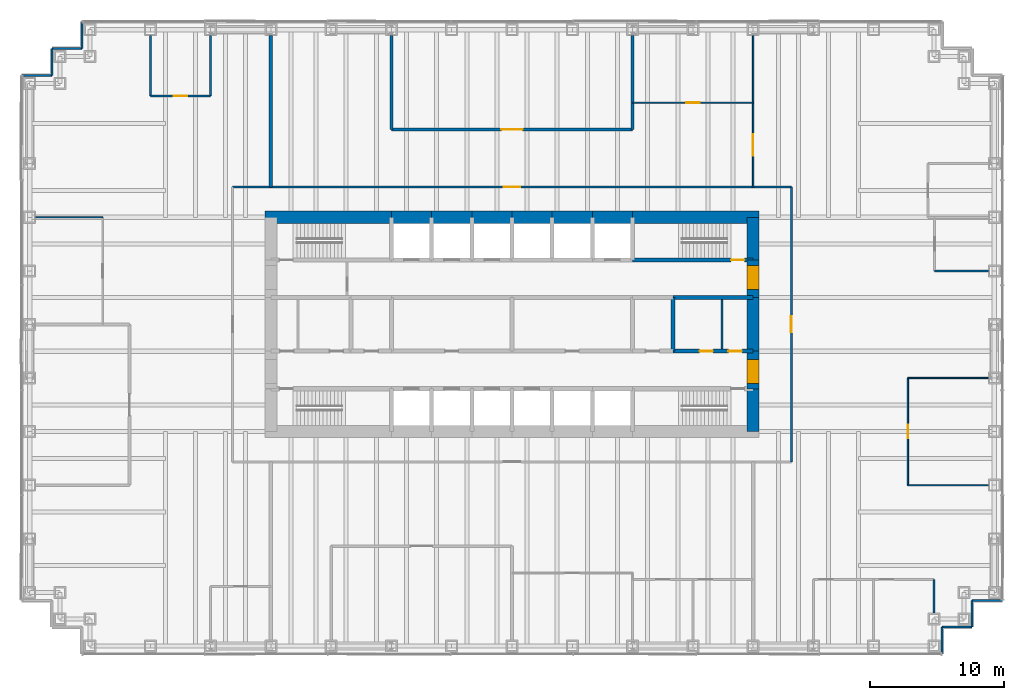
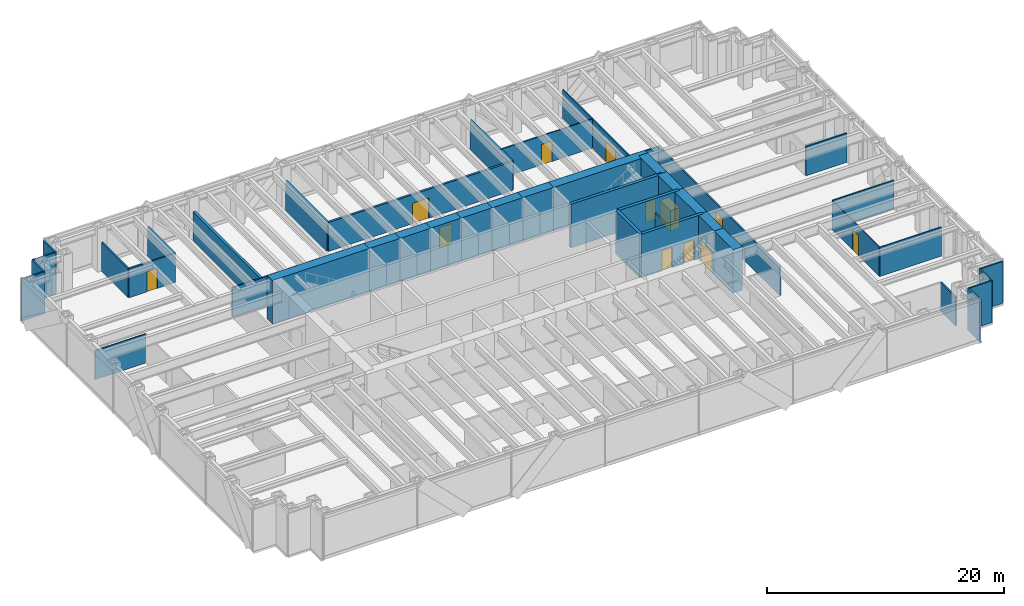
# One storey, part 11 of 13: 43 walls, 12 doors, 12 openings.
"""IFC4 building model written with IfcOpenShell, lengths in metres."""

from ifc_helpers import new_model, si_unit, direction, frame, frame_2d, origin, place, context, subcontext, project, spatial, rectangle, extrude, material, layer, layer_set, type_object, element, fill, save


model = new_model("IFC4")

# Units and contexts
model_context = context("Model", 3, precision=1e-05, world=origin(), true_north=direction((0.0, 1.0)))
body_context = subcontext(model_context, "Body", "Model", "MODEL_VIEW")
ifc_project = project(units=[si_unit("LENGTHUNIT", "METRE"), si_unit("AREAUNIT", "SQUARE_METRE"), si_unit("VOLUMEUNIT", "CUBIC_METRE"), si_unit("PLANEANGLEUNIT", "RADIAN"), si_unit("MASSUNIT", "GRAM", prefix="KILO")], contexts=[model_context])

# Site, building, storey
site_placement = place(None, origin())
site = spatial("IfcSite", under=ifc_project, at=site_placement, CompositionType="ELEMENT")
building_placement = place(site_placement, origin())
building = spatial("IfcBuilding", under=site, at=building_placement, Name="Rheinbord Bourse Tower", CompositionType="ELEMENT")
storey_placement = place(building_placement, frame((0.0, 0.0, 81.5)))
storey = spatial("IfcBuildingStorey", under=building, at=storey_placement, Name="L17", CompositionType="ELEMENT", Elevation=81.5)

# Wall, opening, door
ifc_material_1 = material(Name="Acoustic gypsum board partition", Category="gypsum board")
ifc_layer_1 = layer(ifc_material_1, 0.199951171875)
ifc_layer_set_1 = layer_set([ifc_layer_1], Name="ACOUSTIC PARTITION 200")
wall_type_1 = type_object("IfcWallType", Name="ACOUSTIC PARTITION 200", PredefinedType="PARTITIONING", material=ifc_layer_set_1)
wall_1_placement = place(storey_placement, frame((27.0, 38.550048828125, 0.0), z_axis=(0.0, 0.0, 1.0), x_axis=(1.0, 0.0, 0.0)))
wall_1 = element("IfcWall", 1, at=wall_1_placement, inside=storey, type_object=wall_type_1, Name="Partition L17-18", PredefinedType="PARTITIONING", context=body_context, shape_type="SweptSolid", body=[
    extrude(rectangle(XDim=18.0, YDim=0.199951171875, at=frame_2d((9.0, 0.0))), origin(), (0.0, 0.0, 1.0), 3.0),
])
opening_1_placement = place(wall_1_placement, frame((8.199951171875, 0.0, 0.0)))
opening_1 = element("IfcOpeningElement", 2, at=opening_1_placement, cuts=wall_1, Name="Opening 17D13", PredefinedType="OPENING", context=body_context, shape_type="SweptSolid", body=[
    extrude(rectangle(XDim=1.60009765625, YDim=2.10009765625, at=frame_2d((0.800048828125, 1.050048828125))), frame((0.0, 0.10986328125, 0.0), z_axis=(0.0, -1.0, 0.0), x_axis=(1.0, 0.0, 0.0)), (0.0, 0.0, 1.0), 0.219970703125),
])
ifc_material_2 = material(Name="Timber door", Category="wood")
door_type_1 = type_object("IfcDoorType", Name="DOUBLE ROOM DOOR 1600", OperationType="DOUBLE_DOOR_DOUBLE_SWING", PredefinedType="DOOR", material=ifc_material_2)
door_1_placement = place(opening_1_placement, origin())
door_1 = element("IfcDoor", 3, at=door_1_placement, inside=storey, type_object=door_type_1, Name="Trading room door L17", OperationType="SINGLE_SWING_LEFT", OverallHeight=2.10009765625, OverallWidth=1.60009765625, PredefinedType="DOOR", context=body_context, shape_type="SweptSolid", body=[
    extrude(rectangle(XDim=1.60009765625, YDim=2.10009765625, at=frame_2d((0.800048828125, 1.050048828125))), frame((0.0, 0.02490234375, 0.0), z_axis=(0.0, -1.0, 0.0), x_axis=(1.0, 0.0, 0.0)), (0.0, 0.0, 1.0), 0.050048828125),
])
fill(opening_1, door_1)

# Walls
for number, where, z_axis, x_axis, name in (
    (4, (27.0, 38.550048828125, 0.0), (0.0, 0.0, 1.0), (0.0, 1.0, 0.0), "Partition L17-30"),
    (5, (45.0, 38.550048828125, 0.0), (0.0, 0.0, 1.0), (0.0, 1.0, 0.0), "Partition L17-34"),
):
    element("IfcWall", number, at=place(storey_placement, frame(where, z_axis=z_axis, x_axis=x_axis)), inside=storey, type_object=wall_type_1, Name=name, PredefinedType="PARTITIONING", context=body_context, shape_type="SweptSolid", body=[
        extrude(rectangle(XDim=7.0, YDim=0.199951171875, at=frame_2d((3.5, 0.0))), origin(), (0.0, 0.0, 1.0), 3.0),
    ])

# Wall, opening, door
ifc_material_3 = material(Name="Concrete C50/60", Category="concrete")
ifc_layer_2 = layer(ifc_material_3, 0.300048828125)
ifc_layer_set_2 = layer_set([ifc_layer_2], Name="CORE INNER WALL 300")
wall_type_2 = type_object("IfcWallType", Name="CORE INNER WALL 300", PredefinedType="SOLIDWALL", material=ifc_layer_set_2)
wall_2_placement = place(storey_placement, frame((45.0, 28.800048828125, 0.0), z_axis=(0.0, 0.0, 1.0), x_axis=(1.0, 0.0, 0.0)))
wall_2 = element("IfcWall", 6, at=wall_2_placement, inside=storey, type_object=wall_type_2, Name="Core wall B8 L17", PredefinedType="SOLIDWALL", context=body_context, shape_type="SweptSolid", body=[
    extrude(rectangle(XDim=9.0, YDim=0.300048828125, at=frame_2d((4.5, 0.0))), origin(), (0.0, 0.0, 1.0), 4.5),
])
opening_2_placement = place(wall_2_placement, frame((7.35009765625, 0.0, 0.0)))
opening_2 = element("IfcOpeningElement", 7, at=opening_2_placement, cuts=wall_2, Name="Opening 1740", PredefinedType="OPENING", context=body_context, shape_type="SweptSolid", body=[
    extrude(rectangle(XDim=1.0, YDim=2.10009765625, at=frame_2d((0.5, 1.050048828125))), frame((0.0, 0.159912109375, 0.0), z_axis=(0.0, -1.0, 0.0), x_axis=(1.0, 0.0, 0.0)), (0.0, 0.0, 1.0), 0.320068359375),
])
ifc_material_4 = material(Name="Steel door", Category="steel")
door_type_2 = type_object("IfcDoorType", Name="DOOR 1000 EI30", OperationType="SINGLE_SWING_LEFT", PredefinedType="DOOR", material=ifc_material_4)
door_2_placement = place(opening_2_placement, origin())
door_2 = element("IfcDoor", 8, at=door_2_placement, inside=storey, type_object=door_type_2, Name="Stair door ST4 L17", OperationType="SINGLE_SWING_RIGHT", OverallHeight=2.10009765625, OverallWidth=1.0, PredefinedType="DOOR", context=body_context, shape_type="SweptSolid", body=[
    extrude(rectangle(XDim=1.0, YDim=2.10009765625, at=frame_2d((0.5, 1.050048828125))), frame((0.0, 0.02490234375, 0.0), z_axis=(0.0, -1.0, 0.0), x_axis=(1.0, 0.0, 0.0)), (0.0, 0.0, 1.0), 0.050048828125),
])
fill(opening_2, door_2)

# Wall, openings, doors
wall_3_placement = place(storey_placement, frame((48.0, 22.0, 0.0), z_axis=(0.0, 0.0, 1.0), x_axis=(1.0, 0.0, 0.0)))
wall_3 = element("IfcWall", 9, at=wall_3_placement, inside=storey, type_object=wall_type_2, Name="Core wall C6 L17", PredefinedType="SOLIDWALL", context=body_context, shape_type="SweptSolid", body=[
    extrude(rectangle(XDim=6.0, YDim=0.300048828125, at=frame_2d((3.0, 0.0))), origin(), (0.0, 0.0, 1.0), 4.5),
])
opening_3_placement = place(wall_3_placement, frame((2.0, 0.0, 0.0)))
opening_3 = element("IfcOpeningElement", 10, at=opening_3_placement, cuts=wall_3, Name="Opening 17R6", PredefinedType="OPENING", context=body_context, shape_type="SweptSolid", body=[
    extrude(rectangle(XDim=1.0, YDim=2.10009765625, at=frame_2d((0.5, 1.050048828125))), frame((0.0, 0.159912109375, 0.0), z_axis=(0.0, -1.0, 0.0), x_axis=(1.0, 0.0, 0.0)), (0.0, 0.0, 1.0), 0.320068359375),
])
opening_4_placement = place(wall_3_placement, frame((4.14990234375, 0.0, 0.0)))
opening_4 = element("IfcOpeningElement", 11, at=opening_4_placement, cuts=wall_3, Name="Opening 17R10", PredefinedType="OPENING", context=body_context, shape_type="SweptSolid", body=[
    extrude(rectangle(XDim=1.0, YDim=2.10009765625, at=frame_2d((0.5, 1.050048828125))), frame((0.0, 0.159912109375, 0.0), z_axis=(0.0, -1.0, 0.0), x_axis=(1.0, 0.0, 0.0)), (0.0, 0.0, 1.0), 0.320068359375),
])
door_3_placement = place(opening_4_placement, origin())
door_3 = element("IfcDoor", 12, at=door_3_placement, inside=storey, type_object=door_type_2, Name="Cleaner's store door L17", OperationType="SINGLE_SWING_RIGHT", OverallHeight=2.10009765625, OverallWidth=1.0, PredefinedType="DOOR", context=body_context, shape_type="SweptSolid", body=[
    extrude(rectangle(XDim=1.0, YDim=2.10009765625, at=frame_2d((0.5, 1.050048828125))), frame((0.0, 0.02490234375, 0.0), z_axis=(0.0, -1.0, 0.0), x_axis=(1.0, 0.0, 0.0)), (0.0, 0.0, 1.0), 0.050048828125),
])
fill(opening_4, door_3)
ifc_material_5 = material(Name="Timber door", Category="wood")
door_type_3 = type_object("IfcDoorType", Name="DOOR 1000 WC", OperationType="SINGLE_SWING_LEFT", PredefinedType="DOOR", material=ifc_material_5)
door_4_placement = place(opening_3_placement, origin())
door_4 = element("IfcDoor", 13, at=door_4_placement, inside=storey, type_object=door_type_3, Name="WC women door L17", OperationType="SINGLE_SWING_LEFT", OverallHeight=2.10009765625, OverallWidth=1.0, PredefinedType="DOOR", context=body_context, shape_type="SweptSolid", body=[
    extrude(rectangle(XDim=1.0, YDim=2.10009765625, at=frame_2d((0.5, 1.050048828125))), frame((0.0, 0.02490234375, 0.0), z_axis=(0.0, -1.0, 0.0), x_axis=(1.0, 0.0, 0.0)), (0.0, 0.0, 1.0), 0.050048828125),
])
fill(opening_3, door_4)

# Walls
wall_4_placement = place(storey_placement, frame((48.0, 26.0, 0.0), z_axis=(0.0, 0.0, 1.0), x_axis=(1.0, 0.0, 0.0)))
element("IfcWall", 14, at=wall_4_placement, inside=storey, type_object=wall_type_2, Name="Core wall D6 L17", PredefinedType="SOLIDWALL", context=body_context, shape_type="SweptSolid", body=[
    extrude(rectangle(XDim=6.0, YDim=0.300048828125, at=frame_2d((3.0, 0.0))), origin(), (0.0, 0.0, 1.0), 4.5),
])
wall_5_placement = place(storey_placement, frame((48.0, 22.0, 0.0), z_axis=(0.0, 0.0, 1.0), x_axis=(0.0, 1.0, 0.0)))
element("IfcWall", 15, at=wall_5_placement, inside=storey, type_object=wall_type_2, Name="Core wall MX48 L17", PredefinedType="SOLIDWALL", context=body_context, shape_type="SweptSolid", body=[
    extrude(rectangle(XDim=4.0, YDim=0.300048828125, at=frame_2d((2.0, 0.0))), origin(), (0.0, 0.0, 1.0), 4.5),
])
ifc_material_6 = material(Name="Gypsum board fire partition", Category="gypsum board")
ifc_layer_3 = layer(ifc_material_6, 0.14990234375)
ifc_layer_set_3 = layer_set([ifc_layer_3], Name="CORE PARTITION 150 EI30")
wall_type_3 = type_object("IfcWallType", Name="CORE PARTITION 150 EI30", PredefinedType="PARTITIONING", material=ifc_layer_set_3)
wall_6_placement = place(storey_placement, frame((51.675048828125, 22.14990234375, 0.0), z_axis=(0.0, 0.0, 1.0), x_axis=(0.0, 1.0, 0.0)))
element("IfcWall", 16, at=wall_6_placement, inside=storey, type_object=wall_type_3, Name="Core partition L17-3", PredefinedType="PARTITIONING", context=body_context, shape_type="SweptSolid", body=[
    extrude(rectangle(XDim=3.7001953125, YDim=0.14990234375, at=frame_2d((1.85009765625, 0.0))), origin(), (0.0, 0.0, 1.0), 3.0),
])
ifc_material_7 = material(Name="Concrete C50/60", Category="concrete")
ifc_layer_4 = layer(ifc_material_7, 0.89990234375)
ifc_layer_set_4 = layer_set([ifc_layer_4], Name="CORE WALL 900")
wall_type_4 = type_object("IfcWallType", Name="CORE WALL 900", PredefinedType="SHEAR", material=ifc_layer_set_4)
wall_7_placement = place(storey_placement, frame((54.449951171875, 32.0, 0.0), z_axis=(0.0, 0.0, 1.0), x_axis=(-1.0, 0.0, 0.0)))
element("IfcWall", 17, at=wall_7_placement, inside=storey, type_object=wall_type_4, Name="Core wall N1 L17", PredefinedType="SHEAR", context=body_context, shape_type="SweptSolid", body=[
    extrude(rectangle(XDim=9.449951171875, YDim=0.89990234375, at=frame_2d((4.72509765625, 0.0))), origin(), (0.0, 0.0, 1.0), 4.5),
])
for number, where, z_axis, x_axis, name in (
    (18, (45.0, 32.0, 0.0), (0.0, 0.0, 1.0), (-1.0, 0.0, 0.0), "Core wall N2 L17"),
    (19, (42.0, 32.0, 0.0), (0.0, 0.0, 1.0), (-1.0, 0.0, 0.0), "Core wall N3 L17"),
    (20, (39.0, 32.0, 0.0), (0.0, 0.0, 1.0), (-1.0, 0.0, 0.0), "Core wall N4 L17"),
    (21, (36.0, 32.0, 0.0), (0.0, 0.0, 1.0), (-1.0, 0.0, 0.0), "Core wall N5 L17"),
    (22, (33.0, 32.0, 0.0), (0.0, 0.0, 1.0), (-1.0, 0.0, 0.0), "Core wall N6 L17"),
    (23, (30.0, 32.0, 0.0), (0.0, 0.0, 1.0), (-1.0, 0.0, 0.0), "Core wall N7 L17"),
):
    element("IfcWall", number, at=place(storey_placement, frame(where, z_axis=z_axis, x_axis=x_axis)), inside=storey, type_object=wall_type_4, Name=name, PredefinedType="SHEAR", context=body_context, shape_type="SweptSolid", body=[
        extrude(rectangle(XDim=3.0, YDim=0.89990234375, at=frame_2d((1.5, 0.0))), origin(), (0.0, 0.0, 1.0), 4.5),
    ])
wall_8_placement = place(storey_placement, frame((27.0, 32.0, 0.0), z_axis=(0.0, 0.0, 1.0), x_axis=(-1.0, 0.0, 0.0)))
element("IfcWall", 24, at=wall_8_placement, inside=storey, type_object=wall_type_4, Name="Core wall N8 L17", PredefinedType="SHEAR", context=body_context, shape_type="SweptSolid", body=[
    extrude(rectangle(XDim=9.449951171875, YDim=0.89990234375, at=frame_2d((4.72509765625, 0.0))), origin(), (0.0, 0.0, 1.0), 4.5),
])
wall_9_placement = place(storey_placement, frame((54.0, 16.0, 0.0), z_axis=(0.0, 0.0, 1.0), x_axis=(0.0, 1.0, 0.0)))
element("IfcWall", 25, at=wall_9_placement, inside=storey, type_object=wall_type_4, Name="Core wall E1 L17", PredefinedType="SHEAR", context=body_context, shape_type="SweptSolid", body=[
    extrude(rectangle(XDim=3.199951171875, YDim=0.89990234375, at=frame_2d((1.60009765625, 0.0))), origin(), (0.0, 0.0, 1.0), 4.5),
])

# Wall, opening, door
wall_10_placement = place(storey_placement, frame((54.0, 19.199951171875, 0.0), z_axis=(0.0, 0.0, 1.0), x_axis=(0.0, 1.0, 0.0)))
wall_10 = element("IfcWall", 26, at=wall_10_placement, inside=storey, type_object=wall_type_4, Name="Core wall E2 L17", PredefinedType="SHEAR", context=body_context, shape_type="SweptSolid", body=[
    extrude(rectangle(XDim=2.800048828125, YDim=0.89990234375, at=frame_2d((1.39990234375, 0.0))), origin(), (0.0, 0.0, 1.0), 4.5),
])
opening_5_placement = place(wall_10_placement, frame((0.39990234375, 0.0, 0.0)))
opening_5 = element("IfcOpeningElement", 27, at=opening_5_placement, cuts=wall_10, Name="Opening 17L3", PredefinedType="OPENING", context=body_context, shape_type="SweptSolid", body=[
    extrude(rectangle(XDim=1.800048828125, YDim=2.10009765625, at=frame_2d((0.89990234375, 1.050048828125))), frame((0.0, 0.4599609375, 0.0), z_axis=(0.0, -1.0, 0.0), x_axis=(1.0, 0.0, 0.0)), (0.0, 0.0, 1.0), 0.919921875),
])
ifc_material_8 = material(Name="Steel door", Category="steel")
door_type_4 = type_object("IfcDoorType", Name="DOOR 1800 EI30 DOUBLE", OperationType="DOUBLE_DOOR_DOUBLE_SWING", PredefinedType="DOOR", material=ifc_material_8)
door_5_placement = place(opening_5_placement, origin())
door_5 = element("IfcDoor", 28, at=door_5_placement, inside=storey, type_object=door_type_4, Name="Lobby door 3 L17", OperationType="SINGLE_SWING_LEFT", OverallHeight=2.10009765625, OverallWidth=1.800048828125, PredefinedType="DOOR", context=body_context, shape_type="SweptSolid", body=[
    extrude(rectangle(XDim=1.800048828125, YDim=2.10009765625, at=frame_2d((0.89990234375, 1.050048828125))), frame((0.0, 0.44970703125, 0.0), z_axis=(0.0, -1.0, 0.0), x_axis=(1.0, 0.0, 0.0)), (0.0, 0.0, 1.0), 0.8994140625),
])
fill(opening_5, door_5)

# Wall
wall_11_placement = place(storey_placement, frame((54.0, 22.0, 0.0), z_axis=(0.0, 0.0, 1.0), x_axis=(0.0, 1.0, 0.0)))
element("IfcWall", 29, at=wall_11_placement, inside=storey, type_object=wall_type_4, Name="Core wall E3 L17", PredefinedType="SHEAR", context=body_context, shape_type="SweptSolid", body=[
    extrude(rectangle(XDim=4.0, YDim=0.89990234375, at=frame_2d((2.0, 0.0))), origin(), (0.0, 0.0, 1.0), 4.5),
])

# Wall, opening, door
wall_12_placement = place(storey_placement, frame((54.0, 26.0, 0.0), z_axis=(0.0, 0.0, 1.0), x_axis=(0.0, 1.0, 0.0)))
wall_12 = element("IfcWall", 30, at=wall_12_placement, inside=storey, type_object=wall_type_4, Name="Core wall E4 L17", PredefinedType="SHEAR", context=body_context, shape_type="SweptSolid", body=[
    extrude(rectangle(XDim=2.800048828125, YDim=0.89990234375, at=frame_2d((1.39990234375, 0.0))), origin(), (0.0, 0.0, 1.0), 4.5),
])
opening_6_placement = place(wall_12_placement, frame((0.60009765625, 0.0, 0.0)))
opening_6 = element("IfcOpeningElement", 31, at=opening_6_placement, cuts=wall_12, Name="Opening 17L4", PredefinedType="OPENING", context=body_context, shape_type="SweptSolid", body=[
    extrude(rectangle(XDim=1.800048828125, YDim=2.10009765625, at=frame_2d((0.89990234375, 1.050048828125))), frame((0.0, 0.4599609375, 0.0), z_axis=(0.0, -1.0, 0.0), x_axis=(1.0, 0.0, 0.0)), (0.0, 0.0, 1.0), 0.919921875),
])
door_6_placement = place(opening_6_placement, origin())
door_6 = element("IfcDoor", 32, at=door_6_placement, inside=storey, type_object=door_type_4, Name="Lobby door 4 L17", OperationType="SINGLE_SWING_LEFT", OverallHeight=2.10009765625, OverallWidth=1.800048828125, PredefinedType="DOOR", context=body_context, shape_type="SweptSolid", body=[
    extrude(rectangle(XDim=1.800048828125, YDim=2.10009765625, at=frame_2d((0.89990234375, 1.050048828125))), frame((0.0, 0.44970703125, 0.0), z_axis=(0.0, -1.0, 0.0), x_axis=(1.0, 0.0, 0.0)), (0.0, 0.0, 1.0), 0.8994140625),
])
fill(opening_6, door_6)

# Walls
wall_13_placement = place(storey_placement, frame((54.0, 28.800048828125, 0.0), z_axis=(0.0, 0.0, 1.0), x_axis=(0.0, 1.0, 0.0)))
element("IfcWall", 33, at=wall_13_placement, inside=storey, type_object=wall_type_4, Name="Core wall E5 L17", PredefinedType="SHEAR", context=body_context, shape_type="SweptSolid", body=[
    extrude(rectangle(XDim=3.199951171875, YDim=0.89990234375, at=frame_2d((1.60009765625, 0.0))), origin(), (0.0, 0.0, 1.0), 4.5),
])
ifc_material_9 = material(Name="Black metal rainscreen panel", Category="aluminium")
ifc_layer_5 = layer(ifc_material_9, 0.14990234375)
ifc_layer_set_5 = layer_set([ifc_layer_5], Name="CORNER PIER CLADDING 150")
wall_type_5 = type_object("IfcWallType", Name="CORNER PIER CLADDING 150", PredefinedType="ELEMENTEDWALL", material=ifc_layer_set_5)
wall_14_placement = place(storey_placement, frame((68.10009765625, -0.60009765625, 0.0), z_axis=(0.0, 0.0, 1.0), x_axis=(0.0, 1.0, 0.0)))
element("IfcWall", 34, at=wall_14_placement, inside=storey, type_object=wall_type_5, Name="Corner pier cladding L17 2", PredefinedType="ELEMENTEDWALL", context=body_context, shape_type="SweptSolid", body=[
    extrude(rectangle(XDim=2.0, YDim=0.14990234375, at=frame_2d((1.0, 0.0))), origin(), (0.0, 0.0, 1.0), 4.320068359375),
])
wall_15_placement = place(storey_placement, frame((68.10009765625, 1.39990234375, 0.0), z_axis=(0.0, 0.0, 1.0), x_axis=(1.0, 0.0, 0.0)))
element("IfcWall", 35, at=wall_15_placement, inside=storey, type_object=wall_type_5, Name="Corner pier cladding L17 3", PredefinedType="ELEMENTEDWALL", context=body_context, shape_type="SweptSolid", body=[
    extrude(rectangle(XDim=2.25, YDim=0.14990234375, at=frame_2d((1.125, 0.0))), origin(), (0.0, 0.0, 1.0), 4.320068359375),
])
wall_16_placement = place(storey_placement, frame((70.35009765625, 1.39990234375, 0.0), z_axis=(0.0, 0.0, 1.0), x_axis=(0.0, 1.0, 0.0)))
element("IfcWall", 36, at=wall_16_placement, inside=storey, type_object=wall_type_5, Name="Corner pier cladding L17 4", PredefinedType="ELEMENTEDWALL", context=body_context, shape_type="SweptSolid", body=[
    extrude(rectangle(XDim=2.0, YDim=0.14990234375, at=frame_2d((1.0, 0.0))), origin(), (0.0, 0.0, 1.0), 4.320068359375),
])
wall_17_placement = place(storey_placement, frame((70.35009765625, 3.39990234375, 0.0), z_axis=(0.0, 0.0, 1.0), x_axis=(1.0, 0.0, 0.0)))
element("IfcWall", 37, at=wall_17_placement, inside=storey, type_object=wall_type_5, Name="Corner pier cladding L17 5", PredefinedType="ELEMENTEDWALL", context=body_context, shape_type="SweptSolid", body=[
    extrude(rectangle(XDim=2.25, YDim=0.14990234375, at=frame_2d((1.125, 0.0))), origin(), (0.0, 0.0, 1.0), 4.320068359375),
])
wall_18_placement = place(storey_placement, frame((3.89990234375, 46.60009765625, 0.0), z_axis=(0.0, 0.0, 1.0), x_axis=(0.0, -1.0, 0.0)))
element("IfcWall", 38, at=wall_18_placement, inside=storey, type_object=wall_type_5, Name="Corner pier cladding L17 12", PredefinedType="ELEMENTEDWALL", context=body_context, shape_type="SweptSolid", body=[
    extrude(rectangle(XDim=2.0, YDim=0.14990234375, at=frame_2d((1.0, 0.0))), origin(), (0.0, 0.0, 1.0), 4.320068359375),
])
wall_19_placement = place(storey_placement, frame((3.89990234375, 44.60009765625, 0.0), z_axis=(0.0, 0.0, 1.0), x_axis=(-1.0, 0.0, 0.0)))
element("IfcWall", 39, at=wall_19_placement, inside=storey, type_object=wall_type_5, Name="Corner pier cladding L17 13", PredefinedType="ELEMENTEDWALL", context=body_context, shape_type="SweptSolid", body=[
    extrude(rectangle(XDim=2.25, YDim=0.14990234375, at=frame_2d((1.125, 0.0))), origin(), (0.0, 0.0, 1.0), 4.320068359375),
])
wall_20_placement = place(storey_placement, frame((1.64990234375, 44.60009765625, 0.0), z_axis=(0.0, 0.0, 1.0), x_axis=(0.0, -1.0, 0.0)))
element("IfcWall", 40, at=wall_20_placement, inside=storey, type_object=wall_type_5, Name="Corner pier cladding L17 14", PredefinedType="ELEMENTEDWALL", context=body_context, shape_type="SweptSolid", body=[
    extrude(rectangle(XDim=2.0, YDim=0.14990234375, at=frame_2d((1.0, 0.0))), origin(), (0.0, 0.0, 1.0), 4.320068359375),
])
wall_21_placement = place(storey_placement, frame((1.64990234375, 42.60009765625, 0.0), z_axis=(0.0, 0.0, 1.0), x_axis=(-1.0, 0.0, 0.0)))
element("IfcWall", 41, at=wall_21_placement, inside=storey, type_object=wall_type_5, Name="Corner pier cladding L17 15", PredefinedType="ELEMENTEDWALL", context=body_context, shape_type="SweptSolid", body=[
    extrude(rectangle(XDim=2.25, YDim=0.14990234375, at=frame_2d((1.125, 0.0))), origin(), (0.0, 0.0, 1.0), 4.320068359375),
])

# Wall, opening, door
ifc_material_10 = material(Name="Gypsum board corridor partition", Category="gypsum board")
ifc_layer_6 = layer(ifc_material_10, 0.14990234375)
ifc_layer_set_6 = layer_set([ifc_layer_6], Name="CORRIDOR PARTITION 150 EI30")
wall_type_6 = type_object("IfcWallType", Name="CORRIDOR PARTITION 150 EI30", PredefinedType="PARTITIONING", material=ifc_layer_set_6)
wall_22_placement = place(storey_placement, frame((15.14990234375, 34.25, 0.0), z_axis=(0.0, 0.0, 1.0), x_axis=(1.0, 0.0, 0.0)))
wall_22 = element("IfcWall", 42, at=wall_22_placement, inside=storey, type_object=wall_type_6, Name="Partition L17-16", PredefinedType="PARTITIONING", context=body_context, shape_type="SweptSolid", body=[
    extrude(rectangle(XDim=41.7001953125, YDim=0.14990234375, at=frame_2d((20.85009765625, 0.0))), origin(), (0.0, 0.0, 1.0), 3.0),
])
opening_7_placement = place(wall_22_placement, frame((20.25, 0.0, 0.0)))
opening_7 = element("IfcOpeningElement", 43, at=opening_7_placement, cuts=wall_22, Name="Opening 17D19", PredefinedType="OPENING", context=body_context, shape_type="SweptSolid", body=[
    extrude(rectangle(XDim=1.199951171875, YDim=2.10009765625, at=frame_2d((0.60009765625, 1.050048828125))), frame((0.0, 0.0849609375, 0.0), z_axis=(0.0, -1.0, 0.0), x_axis=(1.0, 0.0, 0.0)), (0.0, 0.0, 1.0), 0.169921875),
])
ifc_material_11 = material(Name="Timber fire door", Category="wood")
door_type_5 = type_object("IfcDoorType", Name="SUITE ENTRANCE DOOR 1200 EI30", OperationType="SINGLE_SWING_LEFT", PredefinedType="DOOR", material=ifc_material_11)
door_7_placement = place(opening_7_placement, origin())
door_7 = element("IfcDoor", 44, at=door_7_placement, inside=storey, type_object=door_type_5, Name="Suite entrance 3 door L17", OperationType="SINGLE_SWING_LEFT", OverallHeight=2.10009765625, OverallWidth=1.199951171875, PredefinedType="DOOR", context=body_context, shape_type="SweptSolid", body=[
    extrude(rectangle(XDim=1.199951171875, YDim=2.10009765625, at=frame_2d((0.60009765625, 1.050048828125))), frame((0.0, 0.02490234375, 0.0), z_axis=(0.0, -1.0, 0.0), x_axis=(1.0, 0.0, 0.0)), (0.0, 0.0, 1.0), 0.050048828125),
])
fill(opening_7, door_7)

wall_23_placement = place(storey_placement, frame((56.85009765625, 13.75, 0.0), z_axis=(0.0, 0.0, 1.0), x_axis=(0.0, 1.0, 0.0)))
wall_23 = element("IfcWall", 45, at=wall_23_placement, inside=storey, type_object=wall_type_6, Name="Partition L17-38", PredefinedType="PARTITIONING", context=body_context, shape_type="SweptSolid", body=[
    extrude(rectangle(XDim=20.5, YDim=0.14990234375, at=frame_2d((10.25, 0.0))), origin(), (0.0, 0.0, 1.0), 3.0),
])
opening_8_placement = place(wall_23_placement, frame((9.64990234375, 0.0, 0.0)))
opening_8 = element("IfcOpeningElement", 46, at=opening_8_placement, cuts=wall_23, Name="Opening 17D20", PredefinedType="OPENING", context=body_context, shape_type="SweptSolid", body=[
    extrude(rectangle(XDim=1.199951171875, YDim=2.10009765625, at=frame_2d((0.60009765625, 1.050048828125))), frame((0.0, 0.0849609375, 0.0), z_axis=(0.0, -1.0, 0.0), x_axis=(1.0, 0.0, 0.0)), (0.0, 0.0, 1.0), 0.169921875),
])
door_8_placement = place(opening_8_placement, origin())
door_8 = element("IfcDoor", 47, at=door_8_placement, inside=storey, type_object=door_type_5, Name="Suite entrance 4 door L17", OperationType="SINGLE_SWING_LEFT", OverallHeight=2.10009765625, OverallWidth=1.199951171875, PredefinedType="DOOR", context=body_context, shape_type="SweptSolid", body=[
    extrude(rectangle(XDim=1.199951171875, YDim=2.10009765625, at=frame_2d((0.60009765625, 1.050048828125))), frame((0.0, 0.02490234375, 0.0), z_axis=(0.0, -1.0, 0.0), x_axis=(1.0, 0.0, 0.0)), (0.0, 0.0, 1.0), 0.050048828125),
])
fill(opening_8, door_8)

# Walls
ifc_material_12 = material(Name="Gypsum board tenancy wall", Category="gypsum board")
ifc_layer_7 = layer(ifc_material_12, 0.25)
ifc_layer_set_7 = layer_set([ifc_layer_7], Name="DEMISING PARTITION 250 EI60")
wall_type_7 = type_object("IfcWallType", Name="DEMISING PARTITION 250 EI60", PredefinedType="PARTITIONING", material=ifc_layer_set_7)
wall_24_placement = place(storey_placement, frame((18.0, 34.25, 0.0), z_axis=(0.0, 0.0, 1.0), x_axis=(0.0, 1.0, 0.0)))
element("IfcWall", 48, at=wall_24_placement, inside=storey, type_object=wall_type_7, Name="Partition L17-28", PredefinedType="PARTITIONING", context=body_context, shape_type="SweptSolid", body=[
    extrude(rectangle(XDim=11.300048828125, YDim=0.25, at=frame_2d((5.64990234375, 0.0))), origin(), (0.0, 0.0, 1.0), 3.0),
])
ifc_material_13 = material(Name="Gypsum board fire partition", Category="gypsum board")
ifc_layer_8 = layer(ifc_material_13, 0.14990234375)
ifc_layer_set_8 = layer_set([ifc_layer_8], Name="FIRE PARTITION 150 EI60")
wall_type_8 = type_object("IfcWallType", Name="FIRE PARTITION 150 EI60", PredefinedType="PARTITIONING", material=ifc_layer_set_8)
wall_25_placement = place(storey_placement, frame((67.550048828125, 28.0, 0.0), z_axis=(0.0, 0.0, 1.0), x_axis=(1.0, 0.0, 0.0)))
element("IfcWall", 49, at=wall_25_placement, inside=storey, type_object=wall_type_8, Name="Partition L17-12", PredefinedType="PARTITIONING", context=body_context, shape_type="SweptSolid", body=[
    extrude(rectangle(XDim=4.0, YDim=0.14990234375, at=frame_2d((2.0, 0.0))), origin(), (0.0, 0.0, 1.0), 3.0),
])
ifc_material_14 = material(Name="Toughened laminated glass partition", Category="glass")
ifc_layer_9 = layer(ifc_material_14, 0.10009765625)
ifc_layer_set_9 = layer_set([ifc_layer_9], Name="GLAZED PARTITION 100")
wall_type_9 = type_object("IfcWallType", Name="GLAZED PARTITION 100", PredefinedType="PARTITIONING", material=ifc_layer_set_9)
for number, where, z_axis, x_axis, name in (
    (50, (65.550048828125, 12.0, 0.0), (0.0, 0.0, 1.0), (1.0, 0.0, 0.0), "Partition L17-08"),
    (51, (65.550048828125, 20.0, 0.0), (0.0, 0.0, 1.0), (1.0, 0.0, 0.0), "Partition L17-10"),
):
    element("IfcWall", number, at=place(storey_placement, frame(where, z_axis=z_axis, x_axis=x_axis)), inside=storey, type_object=wall_type_9, Name=name, PredefinedType="PARTITIONING", context=body_context, shape_type="SweptSolid", body=[
        extrude(rectangle(XDim=6.0, YDim=0.10009765625, at=frame_2d((3.0, 0.0))), origin(), (0.0, 0.0, 1.0), 3.0),
    ])
wall_26_placement = place(storey_placement, frame((0.449951171875, 32.0, 0.0), z_axis=(0.0, 0.0, 1.0), x_axis=(1.0, 0.0, 0.0)))
element("IfcWall", 52, at=wall_26_placement, inside=storey, type_object=wall_type_9, Name="Partition L17-13", PredefinedType="PARTITIONING", context=body_context, shape_type="SweptSolid", body=[
    extrude(rectangle(XDim=5.0, YDim=0.10009765625, at=frame_2d((2.5, 0.0))), origin(), (0.0, 0.0, 1.0), 3.0),
])

# Wall, opening, door
wall_27_placement = place(storey_placement, frame((45.0, 40.550048828125, 0.0), z_axis=(0.0, 0.0, 1.0), x_axis=(1.0, 0.0, 0.0)))
wall_27 = element("IfcWall", 53, at=wall_27_placement, inside=storey, type_object=wall_type_9, Name="Partition L17-19", PredefinedType="PARTITIONING", context=body_context, shape_type="SweptSolid", body=[
    extrude(rectangle(XDim=9.0, YDim=0.10009765625, at=frame_2d((4.5, 0.0))), origin(), (0.0, 0.0, 1.0), 3.0),
])
opening_9_placement = place(wall_27_placement, frame((4.0, 0.0, 0.0)))
opening_9 = element("IfcOpeningElement", 54, at=opening_9_placement, cuts=wall_27, Name="Opening 17D14", PredefinedType="OPENING", context=body_context, shape_type="SweptSolid", body=[
    extrude(rectangle(XDim=1.0, YDim=2.10009765625, at=frame_2d((0.5, 1.050048828125))), frame((0.0, 0.06005859375, 0.0), z_axis=(0.0, -1.0, 0.0), x_axis=(1.0, 0.0, 0.0)), (0.0, 0.0, 1.0), 0.1201171875),
])
ifc_material_15 = material(Name="Timber door", Category="wood")
door_type_6 = type_object("IfcDoorType", Name="ROOM DOOR 1000", OperationType="SINGLE_SWING_LEFT", PredefinedType="DOOR", material=ifc_material_15)
door_9_placement = place(opening_9_placement, origin())
door_9 = element("IfcDoor", 55, at=door_9_placement, inside=storey, type_object=door_type_6, Name="Meeting room door L17", OperationType="SINGLE_SWING_LEFT", OverallHeight=2.10009765625, OverallWidth=1.0, PredefinedType="DOOR", context=body_context, shape_type="SweptSolid", body=[
    extrude(rectangle(XDim=1.0, YDim=2.10009765625, at=frame_2d((0.5, 1.050048828125))), frame((0.0, 0.02490234375, 0.0), z_axis=(0.0, -1.0, 0.0), x_axis=(1.0, 0.0, 0.0)), (0.0, 0.0, 1.0), 0.050048828125),
])
fill(opening_9, door_9)

wall_28_placement = place(storey_placement, frame((54.0, 34.25, 0.0), z_axis=(0.0, 0.0, 1.0), x_axis=(0.0, 1.0, 0.0)))
wall_28 = element("IfcWall", 56, at=wall_28_placement, inside=storey, type_object=wall_type_9, Name="Partition L17-37", PredefinedType="PARTITIONING", context=body_context, shape_type="SweptSolid", body=[
    extrude(rectangle(XDim=11.300048828125, YDim=0.10009765625, at=frame_2d((5.64990234375, 0.0))), origin(), (0.0, 0.0, 1.0), 3.0),
])
opening_10_placement = place(wall_28_placement, frame((2.35009765625, 0.0, 0.0)))
opening_10 = element("IfcOpeningElement", 57, at=opening_10_placement, cuts=wall_28, Name="Opening 17D16", PredefinedType="OPENING", context=body_context, shape_type="SweptSolid", body=[
    extrude(rectangle(XDim=1.60009765625, YDim=2.10009765625, at=frame_2d((0.800048828125, 1.050048828125))), frame((0.0, 0.06005859375, 0.0), z_axis=(0.0, -1.0, 0.0), x_axis=(1.0, 0.0, 0.0)), (0.0, 0.0, 1.0), 0.1201171875),
])
door_10_placement = place(opening_10_placement, origin())
door_10 = element("IfcDoor", 58, at=door_10_placement, inside=storey, type_object=door_type_1, Name="Open area door L17", OperationType="SINGLE_SWING_LEFT", OverallHeight=2.10009765625, OverallWidth=1.60009765625, PredefinedType="DOOR", context=body_context, shape_type="SweptSolid", body=[
    extrude(rectangle(XDim=1.60009765625, YDim=2.10009765625, at=frame_2d((0.800048828125, 1.050048828125))), frame((0.0, 0.02490234375, 0.0), z_axis=(0.0, -1.0, 0.0), x_axis=(1.0, 0.0, 0.0)), (0.0, 0.0, 1.0), 0.050048828125),
])
fill(opening_10, door_10)

wall_29_placement = place(storey_placement, frame((65.550048828125, 12.0, 0.0), z_axis=(0.0, 0.0, 1.0), x_axis=(0.0, 1.0, 0.0)))
wall_29 = element("IfcWall", 59, at=wall_29_placement, inside=storey, type_object=wall_type_9, Name="Partition L17-41", PredefinedType="PARTITIONING", context=body_context, shape_type="SweptSolid", body=[
    extrude(rectangle(XDim=8.0, YDim=0.10009765625, at=frame_2d((4.0, 0.0))), origin(), (0.0, 0.0, 1.0), 3.0),
])
opening_11_placement = place(wall_29_placement, frame((3.5, 0.0, 0.0)))
opening_11 = element("IfcOpeningElement", 60, at=opening_11_placement, cuts=wall_29, Name="Opening 17D08", PredefinedType="OPENING", context=body_context, shape_type="SweptSolid", body=[
    extrude(rectangle(XDim=1.0, YDim=2.10009765625, at=frame_2d((0.5, 1.050048828125))), frame((0.0, 0.06005859375, 0.0), z_axis=(0.0, -1.0, 0.0), x_axis=(1.0, 0.0, 0.0)), (0.0, 0.0, 1.0), 0.1201171875),
])
door_11_placement = place(opening_11_placement, origin())
door_11 = element("IfcDoor", 61, at=door_11_placement, inside=storey, type_object=door_type_6, Name="Focus room door L17", OperationType="SINGLE_SWING_LEFT", OverallHeight=2.10009765625, OverallWidth=1.0, PredefinedType="DOOR", context=body_context, shape_type="SweptSolid", body=[
    extrude(rectangle(XDim=1.0, YDim=2.10009765625, at=frame_2d((0.5, 1.050048828125))), frame((0.0, 0.02490234375, 0.0), z_axis=(0.0, -1.0, 0.0), x_axis=(1.0, 0.0, 0.0)), (0.0, 0.0, 1.0), 0.050048828125),
])
fill(opening_11, door_11)

ifc_material_16 = material(Name="Gypsum board partition", Category="gypsum board")
ifc_layer_10 = layer(ifc_material_16, 0.14990234375)
ifc_layer_set_10 = layer_set([ifc_layer_10], Name="PARTITION 150")
wall_type_10 = type_object("IfcWallType", Name="PARTITION 150", PredefinedType="PARTITIONING", material=ifc_layer_set_10)
wall_30_placement = place(storey_placement, frame((9.0, 41.050048828125, 0.0), z_axis=(0.0, 0.0, 1.0), x_axis=(1.0, 0.0, 0.0)))
wall_30 = element("IfcWall", 62, at=wall_30_placement, inside=storey, type_object=wall_type_10, Name="Partition L17-20", PredefinedType="PARTITIONING", context=body_context, shape_type="SweptSolid", body=[
    extrude(rectangle(XDim=4.5, YDim=0.14990234375, at=frame_2d((2.25, 0.0))), origin(), (0.0, 0.0, 1.0), 3.0),
])
opening_12_placement = place(wall_30_placement, frame((1.75, 0.0, 0.0)))
opening_12 = element("IfcOpeningElement", 63, at=opening_12_placement, cuts=wall_30, Name="Opening 17D15", PredefinedType="OPENING", context=body_context, shape_type="SweptSolid", body=[
    extrude(rectangle(XDim=1.0, YDim=2.10009765625, at=frame_2d((0.5, 1.050048828125))), frame((0.0, 0.0849609375, 0.0), z_axis=(0.0, -1.0, 0.0), x_axis=(1.0, 0.0, 0.0)), (0.0, 0.0, 1.0), 0.169921875),
])
door_12_placement = place(opening_12_placement, origin())
door_12 = element("IfcDoor", 64, at=door_12_placement, inside=storey, type_object=door_type_6, Name="Pantry door L17", OperationType="SINGLE_SWING_LEFT", OverallHeight=2.10009765625, OverallWidth=1.0, PredefinedType="DOOR", context=body_context, shape_type="SweptSolid", body=[
    extrude(rectangle(XDim=1.0, YDim=2.10009765625, at=frame_2d((0.5, 1.050048828125))), frame((0.0, 0.02490234375, 0.0), z_axis=(0.0, -1.0, 0.0), x_axis=(1.0, 0.0, 0.0)), (0.0, 0.0, 1.0), 0.050048828125),
])
fill(opening_12, door_12)

# Walls
for number, where, z_axis, x_axis, name in (
    (65, (9.0, 41.050048828125, 0.0), (0.0, 0.0, 1.0), (0.0, 1.0, 0.0), "Partition L17-23"),
    (66, (13.5, 41.050048828125, 0.0), (0.0, 0.0, 1.0), (0.0, 1.0, 0.0), "Partition L17-25"),
):
    element("IfcWall", number, at=place(storey_placement, frame(where, z_axis=z_axis, x_axis=x_axis)), inside=storey, type_object=wall_type_10, Name=name, PredefinedType="PARTITIONING", context=body_context, shape_type="SweptSolid", body=[
        extrude(rectangle(XDim=4.5, YDim=0.14990234375, at=frame_2d((2.25, 0.0))), origin(), (0.0, 0.0, 1.0), 3.0),
    ])
wall_31_placement = place(storey_placement, frame((67.5, 2.449951171875, 0.0), z_axis=(0.0, 0.0, 1.0), x_axis=(0.0, 1.0, 0.0)))
element("IfcWall", 67, at=wall_31_placement, inside=storey, type_object=wall_type_10, Name="Partition L17-43", PredefinedType="PARTITIONING", context=body_context, shape_type="SweptSolid", body=[
    extrude(rectangle(XDim=2.5, YDim=0.14990234375, at=frame_2d((1.25, 0.0))), origin(), (0.0, 0.0, 1.0), 3.0),
])

save(model, "model.ifc")
